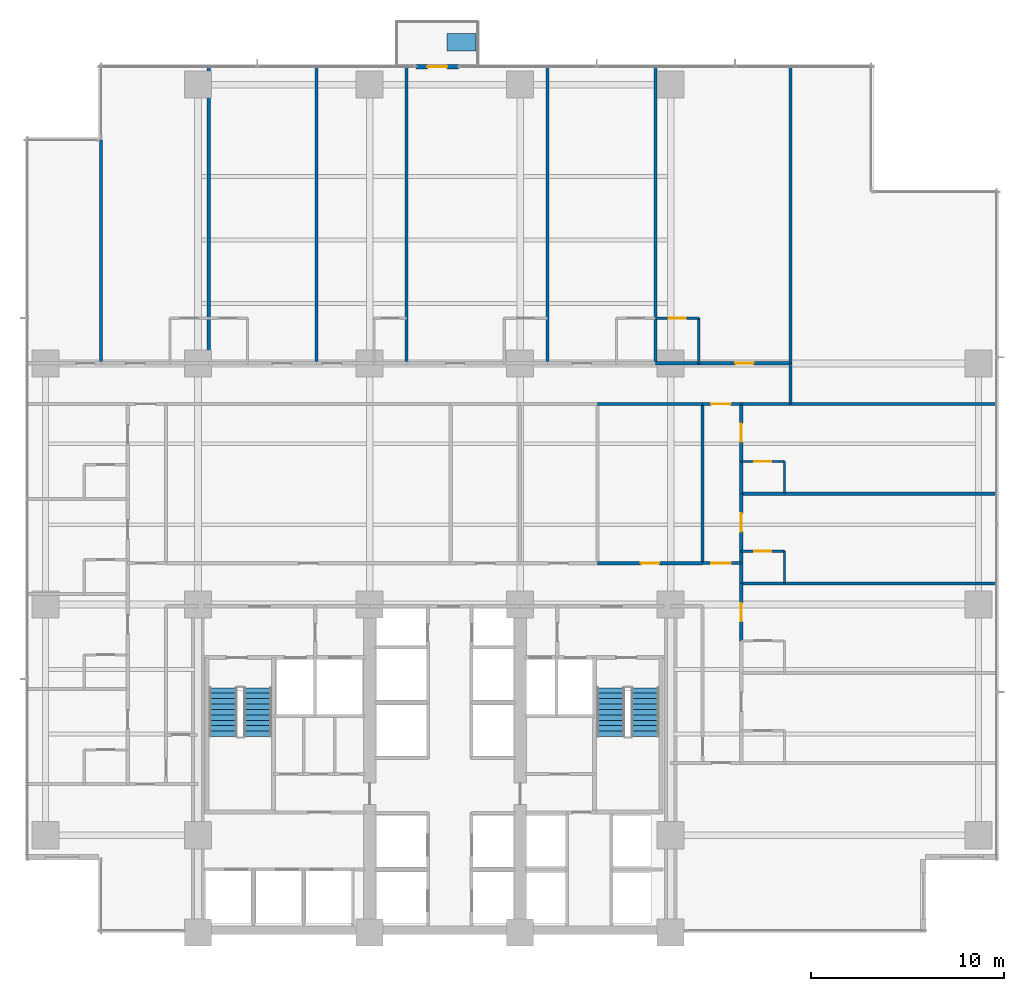
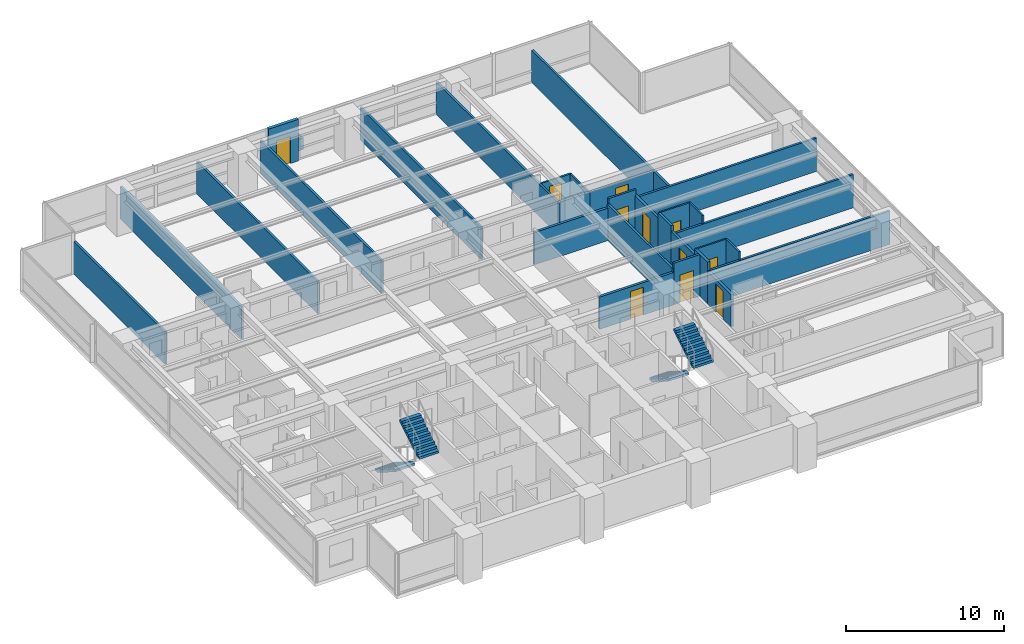
# One storey, part 11 of 17: 30 walls, 11 doors, 4 stair flights, 1 discrete accessory, 11 openings, 2 elements without a shape of their own.
"""IFC4 building model written with IfcOpenShell, lengths in metres."""

import ifcopenshell
import ifcopenshell.guid

model = None  # the IFC model being written
_history = None  # IfcOwnerHistory: only IFC2X3 demands one
_inside = {}  # id of a spatial element -> (the spatial element, [elements in it])
_under = {}  # id of a project, library or spatial element -> (it, [spatial elements below it])
_declared = {}  # id of a project -> (the project, [libraries it declares])
_typed = {}  # id of a type object -> (the type object, [elements of that type])
_made_of = {}  # id of a material, layer set ... -> (it, [elements and type objects made of it])


def new_model(schema):
    """Start an empty IFC model of exactly this schema.

    Asked for "IFC4X3", IfcOpenShell would pick the latest addendum, in which some entities
    have other attributes; the version numbers below select the first issue.
    IFC2X3 requires an IfcOwnerHistory on every rooted entity: one is made here for all.
    """
    global model, _history
    if schema == "IFC4X3":
        model = ifcopenshell.file(schema_version=(4, 3, 0, 0))
    else:
        model = ifcopenshell.file(schema=schema)
    _inside.clear()
    _under.clear()
    _declared.clear()
    _typed.clear()
    _made_of.clear()
    _history = None
    if model.schema == "IFC2X3":
        org = make("IfcOrganization", Name="unknown")
        user = make(
            "IfcPersonAndOrganization",
            ThePerson=make("IfcPerson", FamilyName="unknown"),
            TheOrganization=org,
        )
        app = make(
            "IfcApplication",
            ApplicationDeveloper=org,
            Version="unknown",
            ApplicationFullName="unknown",
            ApplicationIdentifier="unknown",
        )
        _history = make(
            "IfcOwnerHistory",
            OwningUser=user,
            OwningApplication=app,
            ChangeAction="ADDED",
            CreationDate=0,
        )
    return model


def make(cls, **values):
    """One entity of the class cls with the attributes given. An attribute that is None is left unset."""
    return model.create_entity(
        cls, **{name: value for name, value in values.items() if value is not None}
    )


def rooted(cls, **values):
    """An entity with a GlobalId (a new one), such as an element, a storey or a relation."""
    return make(cls, GlobalId=ifcopenshell.guid.new(), OwnerHistory=_history, **values)


def si_unit(unit_type, name, prefix=None):
    """IfcSIUnit, for example si_unit("LENGTHUNIT", "METRE", prefix="MILLI")."""
    return make("IfcSIUnit", UnitType=unit_type, Prefix=prefix, Name=name)


def assignment(units):
    """IfcUnitAssignment: the units of a project."""
    return None if units is None else make("IfcUnitAssignment", Units=units)


def point(xyz):
    """IfcCartesianPoint."""
    return None if xyz is None else make("IfcCartesianPoint", Coordinates=xyz)


def direction(xyz):
    """IfcDirection."""
    return None if xyz is None else make("IfcDirection", DirectionRatios=xyz)


def frame(location, z_axis=None, x_axis=None):
    """IfcAxis2Placement3D, a coordinate frame: its origin and axes. An axis left out is left unset."""
    return make(
        "IfcAxis2Placement3D",
        Location=point(location),
        Axis=direction(z_axis),
        RefDirection=direction(x_axis),
    )


def frame_2d(location, x_axis=None):
    """IfcAxis2Placement2D, a coordinate frame in the plane: its origin and x axis."""
    return make(
        "IfcAxis2Placement2D", Location=point(location), RefDirection=direction(x_axis)
    )


def origin():
    """The frame at (0, 0, 0) with its axes left unset."""
    return frame((0.0, 0.0, 0.0))


def place(relative_to, where):
    """IfcLocalPlacement: puts the frame where relative to a parent placement (None: the world)."""
    return make(
        "IfcLocalPlacement", PlacementRelTo=relative_to, RelativePlacement=where
    )


def context(
    kind, dimensions, precision=None, world=None, true_north=None, identifier=None
):
    """IfcGeometricRepresentationContext, for example the 3D "Model" context."""
    return make(
        "IfcGeometricRepresentationContext",
        ContextIdentifier=identifier,
        ContextType=kind,
        CoordinateSpaceDimension=dimensions,
        Precision=precision,
        WorldCoordinateSystem=world,
        TrueNorth=true_north,
    )


def subcontext(parent, identifier, kind, view, scale=None):
    """IfcGeometricRepresentationSubContext, for example "Body" below "Model"."""
    return make(
        "IfcGeometricRepresentationSubContext",
        ContextIdentifier=identifier,
        ContextType=kind,
        ParentContext=parent,
        TargetScale=scale,
        TargetView=view,
    )


def project(units=None, contexts=None):
    """IfcProject with its units and contexts."""
    return rooted(
        "IfcProject",
        Name="project",
        RepresentationContexts=contexts,
        UnitsInContext=assignment(units),
    )


def spatial(cls, under=None, at=None, **own):
    """A site, building, storey or space (cls), placed at a placement, below another one or the project."""
    s = rooted(cls, ObjectPlacement=at, **own)
    if under is not None:
        _under.setdefault(under.id(), (under, []))[1].append(s)
    return s


def polyline(points):
    """IfcPolyline through the points."""
    return make("IfcPolyline", Points=[point(p) for p in points])


def profile(cls, at=None, kind="AREA", **sizes):
    """A parametric profile (cls). Its sizes go by their IFC names, for example OverallWidth=200.0."""
    return make(cls, ProfileType=kind, Position=at, **sizes)


def rectangle(**sizes):
    """IfcRectangleProfileDef."""
    return profile("IfcRectangleProfileDef", **sizes)


def outline(outer, holes=None, kind="AREA"):
    """IfcArbitraryClosedProfileDef: a profile drawn as a closed curve; with holes, ...WithVoids."""
    if holes is None:
        return make("IfcArbitraryClosedProfileDef", ProfileType=kind, OuterCurve=outer)
    return make(
        "IfcArbitraryProfileDefWithVoids",
        ProfileType=kind,
        OuterCurve=outer,
        InnerCurves=holes,
    )


def extrude(swept, where, along, depth):
    """IfcExtrudedAreaSolid: the profile swept, set in the frame where, extruded along a direction by depth."""
    return make(
        "IfcExtrudedAreaSolid",
        SweptArea=swept,
        Position=where,
        ExtrudedDirection=direction(along),
        Depth=depth,
    )


def shape(context_of_items, identifier, shape_type, items):
    """IfcShapeRepresentation: the items that make up one representation, for example the "Body"."""
    return make(
        "IfcShapeRepresentation",
        ContextOfItems=context_of_items,
        RepresentationIdentifier=identifier,
        RepresentationType=shape_type,
        Items=items,
    )


def material(Name=None, Category=None):
    """IfcMaterial."""
    return make("IfcMaterial", Name=Name, Category=Category)


def layer(
    of_material, thickness, ventilated=None, Name=None, Category=None, Priority=None
):
    """IfcMaterialLayer: one layer of a wall or slab, of a material (None: an air gap)."""
    return make(
        "IfcMaterialLayer",
        Material=of_material,
        LayerThickness=thickness,
        IsVentilated=ventilated,
        Name=Name,
        Category=Category,
        Priority=Priority,
    )


def layer_set(layers, Name=None):
    """IfcMaterialLayerSet."""
    return make("IfcMaterialLayerSet", MaterialLayers=layers, LayerSetName=Name)


def made_of(thing, what):
    """Note that an element or type object is made of a material, layer set ...; save() writes the relation."""
    if what is not None:
        _made_of.setdefault(what.id(), (what, []))[1].append(thing)
    return thing


def type_object(cls, material=None, **own):
    """A type object (cls), such as IfcWallType, which elements share."""
    return made_of(rooted(cls, **own), material)


def element(
    cls,
    number,
    at=None,
    inside=None,
    cuts=None,
    type_object=None,
    material=None,
    context=None,
    identifier="Body",
    shape_type=None,
    held_by="IfcProductDefinitionShape",
    body=None,
    shapes=None,
    **own,
):
    """One element of the class cls, such as IfcWall. Its Tag is "e" and its number.

    at: its placement. inside: the storey or other place that contains it. cuts: it is an
    opening in that element (IfcRelVoidsElement). A single representation is given by context,
    identifier, shape_type and body (its items); several are given by shapes. held_by: the class
    of the entity that holds the representations. save() writes the other relations.
    """
    e = rooted(cls, Tag="e%d" % number, ObjectPlacement=at, **own)
    if body is not None:
        shapes = [shape(context, identifier, shape_type, body)]
    if shapes is not None:
        e.Representation = make(held_by, Representations=shapes)
    if inside is not None:
        _inside.setdefault(inside.id(), (inside, []))[1].append(e)
    if cuts is not None:
        rooted(
            "IfcRelVoidsElement", RelatingBuildingElement=cuts, RelatedOpeningElement=e
        )
    if type_object is not None:
        _typed.setdefault(type_object.id(), (type_object, []))[1].append(e)
    return made_of(e, material)


def fill(opening, filler):
    """IfcRelFillsElement: the door or window that sits in an opening."""
    return rooted(
        "IfcRelFillsElement",
        RelatingOpeningElement=opening,
        RelatedBuildingElement=filler,
    )


def aggregate(whole, parts):
    """IfcRelAggregates: a whole, such as a stair, and the parts it consists of."""
    return rooted("IfcRelAggregates", RelatingObject=whole, RelatedObjects=parts)


def save(model, path):
    """Write the relations noted so far, then the file.

    IfcRelAggregates (storeys below a building ...), IfcRelContainedInSpatialStructure (elements
    in a storey), IfcRelDefinesByType, IfcRelAssociatesMaterial and IfcRelDeclares: one each for
    every whole, place, type object, material and project.
    """
    for whole, parts in _under.values():
        aggregate(whole, parts)
    for where, things in _inside.values():
        rooted(
            "IfcRelContainedInSpatialStructure",
            RelatedElements=things,
            RelatingStructure=where,
        )
    for kind, things in _typed.values():
        rooted("IfcRelDefinesByType", RelatedObjects=things, RelatingType=kind)
    for what, things in _made_of.values():
        rooted("IfcRelAssociatesMaterial", RelatedObjects=things, RelatingMaterial=what)
    for by, libraries in _declared.values():
        rooted("IfcRelDeclares", RelatingContext=by, RelatedDefinitions=libraries)
    model.write(path)


model = new_model("IFC4")

# Units and contexts
model_context = context("Model", 3, precision=1e-05, world=origin(), true_north=direction((0.0, 1.0)))
body_context = subcontext(model_context, "Body", "Model", "MODEL_VIEW")
ifc_project = project(units=[si_unit("LENGTHUNIT", "METRE"), si_unit("AREAUNIT", "SQUARE_METRE"), si_unit("VOLUMEUNIT", "CUBIC_METRE"), si_unit("PLANEANGLEUNIT", "RADIAN"), si_unit("MASSUNIT", "GRAM", prefix="KILO")], contexts=[model_context])

# Site, building, storey
site_placement = place(None, origin())
site = spatial("IfcSite", under=ifc_project, at=site_placement, CompositionType="ELEMENT")
building_placement = place(site_placement, origin())
building = spatial("IfcBuilding", under=site, at=building_placement, Name="Qalmaran Belvedere Hotel", CompositionType="ELEMENT")
storey_placement = place(building_placement, frame((0.0, 0.0, 61.39990234375)))
storey = spatial("IfcBuildingStorey", under=building, at=storey_placement, Name="L15", CompositionType="ELEMENT", Elevation=61.39990234375)

# Wall, opening, door
ifc_material_1 = material(Name="Anodised Bronze Cladding")
ifc_layer_1 = layer(ifc_material_1, 0.22509765625, Name="Anodised Bronze Cladding")
ifc_layer_set_1 = layer_set([ifc_layer_1], Name="Anodised Bronze Cladding")
wall_type_1 = type_object("IfcWallType", Name="WL-BAL-PORT-225", PredefinedType="SOLIDWALL", material=ifc_layer_set_1)
wall_1_placement = place(storey_placement, frame((31.60009765625, 48.3798828125, 0.0), z_axis=(0.0, 0.0, 1.0), x_axis=(1.0, 0.0, 0.0)))
wall_1 = element("IfcWall", 1, at=wall_1_placement, inside=storey, type_object=wall_type_1, Name="L15 Tree Balcony Door Portal", PredefinedType="SOLIDWALL", context=body_context, shape_type="SweptSolid", body=[
    extrude(rectangle(XDim=2.199951171875, YDim=0.22509765625, at=frame_2d((1.10009765625, 0.0))), origin(), (0.0, 0.0, 1.0), 3.22021484375),
])
opening_1_placement = place(wall_1_placement, frame((0.590087890625, 0.0, 0.0)))
opening_1 = element("IfcOpeningElement", 2, at=opening_1_placement, cuts=wall_1, Name="Opening BL-102", PredefinedType="OPENING", context=body_context, shape_type="SweptSolid", body=[
    extrude(rectangle(XDim=1.02001953125, YDim=2.10009765625, at=frame_2d((0.510009765625, 1.050048828125))), frame((0.0, 0.12255859375, 0.0), z_axis=(0.0, -1.0, 0.0), x_axis=(1.0, 0.0, 0.0)), (0.0, 0.0, 1.0), 0.2451171875),
])
ifc_material_2 = material(Name="Anodised Bronze Aluminium", Category="aluminium")
door_type_1 = type_object("IfcDoorType", Name="DR-BAL-1020X2100", OperationType="NOTDEFINED", PredefinedType="DOOR", material=ifc_material_2)
door_1_placement = place(opening_1_placement, origin())
door_1 = element("IfcDoor", 3, at=door_1_placement, inside=storey, type_object=door_type_1, Name="L15 Planted Tree Balcony Door", OperationType="SINGLE_SWING_RIGHT", OverallHeight=2.10009765625, OverallWidth=1.02001953125, PredefinedType="DOOR", context=body_context, shape_type="SweptSolid", body=[
    extrude(rectangle(XDim=1.02001953125, YDim=2.10009765625, at=frame_2d((0.510009765625, 1.050048828125))), frame((0.0, 0.02490234375, 0.0), z_axis=(0.0, -1.0, 0.0), x_axis=(1.0, 0.0, 0.0)), (0.0, 0.0, 1.0), 0.050048828125),
])
fill(opening_1, door_1)

ifc_material_3 = material(Name="Moisture-Resistant Gypsum")
ifc_layer_2 = layer(ifc_material_3, 0.1201171875, Name="Moisture-Resistant Gypsum")
ifc_layer_set_2 = layer_set([ifc_layer_2], Name="Moisture-Resistant Gypsum")
wall_type_2 = type_object("IfcWallType", Name="WL-INT-120-BATH", PredefinedType="PARTITIONING", material=ifc_layer_set_2)
wall_2_placement = place(storey_placement, frame((44.005126953125, 35.35009765625, 0.0), z_axis=(0.0, 0.0, 1.0), x_axis=(1.0, 0.0, 0.0)))
wall_2 = element("IfcWall", 4, at=wall_2_placement, inside=storey, type_object=wall_type_2, Name="L15 Partition WL-L15-NBN05", PredefinedType="PARTITIONING", context=body_context, shape_type="SweptSolid", body=[
    extrude(rectangle(XDim=2.25, YDim=0.1201171875, at=frame_2d((1.125, 0.0))), origin(), (0.0, 0.0, 1.0), 2.510009765625),
])
opening_2_placement = place(wall_2_placement, frame((1.56494140625, 0.0, 0.0), z_axis=(0.0, 0.0, 1.0), x_axis=(-1.0, 0.0, 0.0)))
opening_2 = element("IfcOpeningElement", 5, at=opening_2_placement, cuts=wall_2, Name="Opening D-BATH", PredefinedType="OPENING", context=body_context, shape_type="SweptSolid", body=[
    extrude(rectangle(XDim=0.8798828125, YDim=2.080078125, at=frame_2d((0.43994140625, 1.0400390625))), frame((0.0, 0.070068359375, 0.0), z_axis=(0.0, -1.0, 0.0), x_axis=(1.0, 0.0, 0.0)), (0.0, 0.0, 1.0), 0.14013671875),
])
ifc_material_4 = material(Name="Engineered Oak Veneer")
door_type_2 = type_object("IfcDoorType", Name="DR-INT-BATH-880X2080", OperationType="NOTDEFINED", PredefinedType="DOOR", material=ifc_material_4)
door_2_placement = place(opening_2_placement, origin())
door_2 = element("IfcDoor", 6, at=door_2_placement, inside=storey, type_object=door_type_2, Name="L15 Ensuite Bathroom Door N06", OperationType="SINGLE_SWING_RIGHT", OverallHeight=2.080078125, OverallWidth=0.8798828125, PredefinedType="DOOR", context=body_context, shape_type="SweptSolid", body=[
    extrude(rectangle(XDim=0.8798828125, YDim=2.080078125, at=frame_2d((0.43994140625, 1.0400390625))), frame((0.0, 0.02490234375, 0.0), z_axis=(0.0, -1.0, 0.0), x_axis=(1.0, 0.0, 0.0)), (0.0, 0.0, 1.0), 0.050048828125),
])
fill(opening_2, door_2)

# Wall
wall_3_placement = place(storey_placement, frame((46.255126953125, 33.0, 0.0), z_axis=(0.0, 0.0, 1.0), x_axis=(0.0, 1.0, 0.0)))
element("IfcWall", 7, at=wall_3_placement, inside=storey, type_object=wall_type_2, Name="L15 Partition WL-L15-NBS05", PredefinedType="PARTITIONING", context=body_context, shape_type="SweptSolid", body=[
    extrude(rectangle(XDim=2.35009765625, YDim=0.1201171875, at=frame_2d((1.175048828125, 0.0))), origin(), (0.0, 0.0, 1.0), 2.510009765625),
])

# Wall, opening, door
wall_4_placement = place(storey_placement, frame((48.449951171875, 23.27001953125, 0.0), z_axis=(0.0, 0.0, 1.0), x_axis=(1.0, 0.0, 0.0)))
wall_4 = element("IfcWall", 8, at=wall_4_placement, inside=storey, type_object=wall_type_2, Name="L15 Partition WL-L15-EBN02", PredefinedType="PARTITIONING", context=body_context, shape_type="SweptSolid", body=[
    extrude(rectangle(XDim=2.25, YDim=0.1201171875, at=frame_2d((1.125, 0.0))), origin(), (0.0, 0.0, 1.0), 3.22021484375),
])
opening_3_placement = place(wall_4_placement, frame((1.56494140625, 0.0, 0.0), z_axis=(0.0, 0.0, 1.0), x_axis=(-1.0, 0.0, 0.0)))
opening_3 = element("IfcOpeningElement", 9, at=opening_3_placement, cuts=wall_4, Name="Opening D-BATH", PredefinedType="OPENING", context=body_context, shape_type="SweptSolid", body=[
    extrude(rectangle(XDim=0.8798828125, YDim=2.080078125, at=frame_2d((0.43994140625, 1.0400390625))), frame((0.0, 0.070068359375, 0.0), z_axis=(0.0, -1.0, 0.0), x_axis=(1.0, 0.0, 0.0)), (0.0, 0.0, 1.0), 0.14013671875),
])
door_3_placement = place(opening_3_placement, origin())
door_3 = element("IfcDoor", 10, at=door_3_placement, inside=storey, type_object=door_type_2, Name="L15 E Ensuite Door 03", OperationType="SINGLE_SWING_RIGHT", OverallHeight=2.080078125, OverallWidth=0.8798828125, PredefinedType="DOOR", context=body_context, shape_type="SweptSolid", body=[
    extrude(rectangle(XDim=0.8798828125, YDim=2.080078125, at=frame_2d((0.43994140625, 1.0400390625))), frame((0.0, 0.02490234375, 0.0), z_axis=(0.0, -1.0, 0.0), x_axis=(1.0, 0.0, 0.0)), (0.0, 0.0, 1.0), 0.050048828125),
])
fill(opening_3, door_3)

# Wall
wall_5_placement = place(storey_placement, frame((50.699951171875, 21.60009765625, 0.0), z_axis=(0.0, 0.0, 1.0), x_axis=(0.0, 1.0, 0.0)))
element("IfcWall", 11, at=wall_5_placement, inside=storey, type_object=wall_type_2, Name="L15 Partition WL-L15-EBS02", PredefinedType="PARTITIONING", context=body_context, shape_type="SweptSolid", body=[
    extrude(rectangle(XDim=1.669921875, YDim=0.1201171875, at=frame_2d((0.8349609375, 0.0))), origin(), (0.0, 0.0, 1.0), 3.22021484375),
])

# Wall, opening, door
wall_6_placement = place(storey_placement, frame((48.449951171875, 27.919921875, 0.0), z_axis=(0.0, 0.0, 1.0), x_axis=(1.0, 0.0, 0.0)))
wall_6 = element("IfcWall", 12, at=wall_6_placement, inside=storey, type_object=wall_type_2, Name="L15 Partition WL-L15-EBN03", PredefinedType="PARTITIONING", context=body_context, shape_type="SweptSolid", body=[
    extrude(rectangle(XDim=2.25, YDim=0.1201171875, at=frame_2d((1.125, 0.0))), origin(), (0.0, 0.0, 1.0), 3.22021484375),
])
opening_4_placement = place(wall_6_placement, frame((1.56494140625, 0.0, 0.0), z_axis=(0.0, 0.0, 1.0), x_axis=(-1.0, 0.0, 0.0)))
opening_4 = element("IfcOpeningElement", 13, at=opening_4_placement, cuts=wall_6, Name="Opening D-BATH", PredefinedType="OPENING", context=body_context, shape_type="SweptSolid", body=[
    extrude(rectangle(XDim=0.8798828125, YDim=2.080078125, at=frame_2d((0.43994140625, 1.0400390625))), frame((0.0, 0.070068359375, 0.0), z_axis=(0.0, -1.0, 0.0), x_axis=(1.0, 0.0, 0.0)), (0.0, 0.0, 1.0), 0.14013671875),
])
door_4_placement = place(opening_4_placement, origin())
door_4 = element("IfcDoor", 14, at=door_4_placement, inside=storey, type_object=door_type_2, Name="L15 E Ensuite Door 04", OperationType="SINGLE_SWING_RIGHT", OverallHeight=2.080078125, OverallWidth=0.8798828125, PredefinedType="DOOR", context=body_context, shape_type="SweptSolid", body=[
    extrude(rectangle(XDim=0.8798828125, YDim=2.080078125, at=frame_2d((0.43994140625, 1.0400390625))), frame((0.0, 0.02490234375, 0.0), z_axis=(0.0, -1.0, 0.0), x_axis=(1.0, 0.0, 0.0)), (0.0, 0.0, 1.0), 0.050048828125),
])
fill(opening_4, door_4)

# Wall
wall_7_placement = place(storey_placement, frame((50.699951171875, 26.25, 0.0), z_axis=(0.0, 0.0, 1.0), x_axis=(0.0, 1.0, 0.0)))
element("IfcWall", 15, at=wall_7_placement, inside=storey, type_object=wall_type_2, Name="L15 Partition WL-L15-EBS03", PredefinedType="PARTITIONING", context=body_context, shape_type="SweptSolid", body=[
    extrude(rectangle(XDim=1.669921875, YDim=0.1201171875, at=frame_2d((0.8349609375, 0.0))), origin(), (0.0, 0.0, 1.0), 3.22021484375),
])

# Wall, opening, door
ifc_material_5 = material(Name="Gypsum Stud Partition")
ifc_layer_3 = layer(ifc_material_5, 0.14990234375, Name="Gypsum Stud Partition")
ifc_layer_set_3 = layer_set([ifc_layer_3], Name="Gypsum Stud Partition")
wall_type_3 = type_object("IfcWallType", Name="WL-INT-150-EI60", PredefinedType="PARTITIONING", material=ifc_layer_set_3)
wall_8_placement = place(storey_placement, frame((46.449951171875, 22.64990234375, 0.0), z_axis=(0.0, 0.0, 1.0), x_axis=(1.0, 0.0, 0.0)))
wall_8 = element("IfcWall", 16, at=wall_8_placement, inside=storey, type_object=wall_type_3, Name="L15 Partition WL-L15-XCE1", PredefinedType="PARTITIONING", context=body_context, shape_type="SweptSolid", body=[
    extrude(rectangle(XDim=2.0, YDim=0.14990234375, at=frame_2d((1.0, 0.0))), origin(), (0.0, 0.0, 1.0), 3.22021484375),
])
opening_5_placement = place(wall_8_placement, frame((0.449951171875, 0.0, 0.0)))
opening_5 = element("IfcOpeningElement", 17, at=opening_5_placement, cuts=wall_8, Name="Opening FD90B", PredefinedType="OPENING", context=body_context, shape_type="SweptSolid", body=[
    extrude(rectangle(XDim=1.0, YDim=2.14990234375, at=frame_2d((0.5, 1.074951171875))), frame((0.0, 0.0849609375, 0.0), z_axis=(0.0, -1.0, 0.0), x_axis=(1.0, 0.0, 0.0)), (0.0, 0.0, 1.0), 0.169921875),
])
ifc_material_6 = material(Name="Steel S355JR", Category="steel")
door_type_3 = type_object("IfcDoorType", Name="DR-FD90B-1000X2150", OperationType="NOTDEFINED", PredefinedType="DOOR", material=ifc_material_6)
door_5_placement = place(opening_5_placement, origin())
door_5 = element("IfcDoor", 18, at=door_5_placement, inside=storey, type_object=door_type_3, Name="L15 East Corridor Smoke Door S", OperationType="SINGLE_SWING_RIGHT", OverallHeight=2.14990234375, OverallWidth=1.0, PredefinedType="DOOR", context=body_context, shape_type="SweptSolid", body=[
    extrude(rectangle(XDim=1.0, YDim=2.14990234375, at=frame_2d((0.5, 1.074951171875))), frame((0.0, 0.02490234375, 0.0), z_axis=(0.0, -1.0, 0.0), x_axis=(1.0, 0.0, 0.0)), (0.0, 0.0, 1.0), 0.050048828125),
])
fill(opening_5, door_5)

wall_9_placement = place(storey_placement, frame((46.449951171875, 30.89990234375, 0.0), z_axis=(0.0, 0.0, 1.0), x_axis=(1.0, 0.0, 0.0)))
wall_9 = element("IfcWall", 19, at=wall_9_placement, inside=storey, type_object=wall_type_3, Name="L15 Partition WL-L15-XCE2", PredefinedType="PARTITIONING", context=body_context, shape_type="SweptSolid", body=[
    extrude(rectangle(XDim=2.0, YDim=0.14990234375, at=frame_2d((1.0, 0.0))), origin(), (0.0, 0.0, 1.0), 3.22021484375),
])
opening_6_placement = place(wall_9_placement, frame((0.449951171875, 0.0, 0.0)))
opening_6 = element("IfcOpeningElement", 20, at=opening_6_placement, cuts=wall_9, Name="Opening FD90B", PredefinedType="OPENING", context=body_context, shape_type="SweptSolid", body=[
    extrude(rectangle(XDim=1.0, YDim=2.14990234375, at=frame_2d((0.5, 1.074951171875))), frame((0.0, 0.0849609375, 0.0), z_axis=(0.0, -1.0, 0.0), x_axis=(1.0, 0.0, 0.0)), (0.0, 0.0, 1.0), 0.169921875),
])
door_6_placement = place(opening_6_placement, origin())
door_6 = element("IfcDoor", 21, at=door_6_placement, inside=storey, type_object=door_type_3, Name="L15 East Corridor Smoke Door N", OperationType="SINGLE_SWING_LEFT", OverallHeight=2.14990234375, OverallWidth=1.0, PredefinedType="DOOR", context=body_context, shape_type="SweptSolid", body=[
    extrude(rectangle(XDim=1.0, YDim=2.14990234375, at=frame_2d((0.5, 1.074951171875))), frame((0.0, 0.02490234375, 0.0), z_axis=(0.0, -1.0, 0.0), x_axis=(1.0, 0.0, 0.0)), (0.0, 0.0, 1.0), 0.050048828125),
])
fill(opening_6, door_6)

# Walls
ifc_layer_4 = layer(ifc_material_5, 0.159912109375, Name="Gypsum Stud Partition")
ifc_layer_set_4 = layer_set([ifc_layer_4], Name="Gypsum Stud Partition")
wall_type_4 = type_object("IfcWallType", Name="WL-INT-160-EI60", PredefinedType="PARTITIONING", material=ifc_layer_set_4)
wall_10_placement = place(storey_placement, frame((51.0, 30.89990234375, 0.0), z_axis=(0.0, 0.0, 1.0), x_axis=(0.0, 1.0, 0.0)))
element("IfcWall", 22, at=wall_10_placement, inside=storey, type_object=wall_type_4, Name="L15 Partition WL-L15-NCGE", PredefinedType="PARTITIONING", context=body_context, shape_type="SweptSolid", body=[
    extrude(rectangle(XDim=2.10009765625, YDim=0.159912109375, at=frame_2d((1.050048828125, 0.0))), origin(), (0.0, 0.0, 1.0), 2.510009765625),
])
wall_11_placement = place(storey_placement, frame((46.449951171875, 22.64990234375, 0.0), z_axis=(0.0, 0.0, 1.0), x_axis=(0.0, 1.0, 0.0)))
element("IfcWall", 23, at=wall_11_placement, inside=storey, type_object=wall_type_4, Name="L15 Partition WL-L15-MIDVR4", PredefinedType="PARTITIONING", context=body_context, shape_type="SweptSolid", body=[
    extrude(rectangle(XDim=8.25, YDim=0.159912109375, at=frame_2d((4.125, 0.0))), origin(), (0.0, 0.0, 1.0), 2.7880859375),
])
wall_12_placement = place(storey_placement, frame((15.27001953125, 33.0, 0.0), z_axis=(0.0, 0.0, 1.0), x_axis=(0.0, 1.0, 0.0)))
element("IfcWall", 24, at=wall_12_placement, inside=storey, type_object=wall_type_4, Name="L15 Partition WL-L15-NUL", PredefinedType="PARTITIONING", context=body_context, shape_type="SweptSolid", body=[
    extrude(rectangle(XDim=11.580078125, YDim=0.159912109375, at=frame_2d((5.7900390625, 0.0))), origin(), (0.0, 0.0, 1.0), 2.510009765625),
])
for number, where, z_axis, x_axis, name in (
    (25, (20.857421875, 33.0, 0.0), (0.0, 0.0, 1.0), (0.0, 1.0, 0.0), "L15 Partition WL-L15-NUR00"),
    (26, (26.44482421875, 33.0, 0.0), (0.0, 0.0, 1.0), (0.0, 1.0, 0.0), "L15 Partition WL-L15-NUR01"),
    (27, (31.10009765625, 33.0, 0.0), (0.0, 0.0, 1.0), (0.0, 1.0, 0.0), "L15 Partition WL-L15-NUR02"),
    (28, (38.417724609375, 33.0, 0.0), (0.0, 0.0, 1.0), (0.0, 1.0, 0.0), "L15 Partition WL-L15-NUR03"),
    (29, (44.005126953125, 33.0, 0.0), (0.0, 0.0, 1.0), (0.0, 1.0, 0.0), "L15 Partition WL-L15-NUR04"),
    (30, (51.0, 33.0, 0.0), (0.0, 0.0, 1.0), (0.0, 1.0, 0.0), "L15 Partition WL-L15-NUR05"),
):
    element("IfcWall", number, at=place(storey_placement, frame(where, z_axis=z_axis, x_axis=x_axis)), inside=storey, type_object=wall_type_4, Name=name, PredefinedType="PARTITIONING", context=body_context, shape_type="SweptSolid", body=[
        extrude(rectangle(XDim=15.3798828125, YDim=0.159912109375, at=frame_2d((7.68994140625, 0.0))), origin(), (0.0, 0.0, 1.0), 2.510009765625),
    ])
for number, where, z_axis, x_axis, name in (
    (31, (48.449951171875, 21.60009765625, 0.0), (0.0, 0.0, 1.0), (1.0, 0.0, 0.0), "L15 Partition WL-L15-EU01"),
    (32, (48.449951171875, 26.25, 0.0), (0.0, 0.0, 1.0), (1.0, 0.0, 0.0), "L15 Partition WL-L15-EU02"),
    (33, (48.449951171875, 30.89990234375, 0.0), (0.0, 0.0, 1.0), (1.0, 0.0, 0.0), "L15 Partition WL-L15-EU03"),
):
    element("IfcWall", number, at=place(storey_placement, frame(where, z_axis=z_axis, x_axis=x_axis)), inside=storey, type_object=wall_type_4, Name=name, PredefinedType="PARTITIONING", context=body_context, shape_type="SweptSolid", body=[
        extrude(rectangle(XDim=13.22998046875, YDim=0.159912109375, at=frame_2d((6.614990234375, 0.0))), origin(), (0.0, 0.0, 1.0), 2.5830078125),
    ])

# Wall, opening, door
ifc_layer_5 = layer(ifc_material_5, 0.179931640625, Name="Gypsum Stud Partition")
ifc_layer_set_5 = layer_set([ifc_layer_5], Name="Gypsum Stud Partition")
wall_type_5 = type_object("IfcWallType", Name="WL-INT-180-EI60", PredefinedType="PARTITIONING", material=ifc_layer_set_5)
wall_13_placement = place(storey_placement, frame((41.0, 22.64990234375, 0.0), z_axis=(0.0, 0.0, 1.0), x_axis=(1.0, 0.0, 0.0)))
wall_13 = element("IfcWall", 34, at=wall_13_placement, inside=storey, type_object=wall_type_5, Name="L15 Partition WL-L15-MIDD4", PredefinedType="PARTITIONING", context=body_context, shape_type="SweptSolid", body=[
    extrude(rectangle(XDim=5.449951171875, YDim=0.179931640625, at=frame_2d((2.72509765625, 0.0))), origin(), (0.0, 0.0, 1.0), 2.510009765625),
])
opening_7_placement = place(wall_13_placement, frame((2.25, 0.0, 0.0)))
opening_7 = element("IfcOpeningElement", 35, at=opening_7_placement, cuts=wall_13, Name="Opening FD60", PredefinedType="OPENING", context=body_context, shape_type="SweptSolid", body=[
    extrude(rectangle(XDim=0.949951171875, YDim=2.14990234375, at=frame_2d((0.47509765625, 1.074951171875))), frame((0.0, 0.10009765625, 0.0), z_axis=(0.0, -1.0, 0.0), x_axis=(1.0, 0.0, 0.0)), (0.0, 0.0, 1.0), 0.199951171875),
])
door_type_4 = type_object("IfcDoorType", Name="DR-FD60-950X2150", OperationType="NOTDEFINED", PredefinedType="DOOR", material=ifc_material_4)
door_7_placement = place(opening_7_placement, origin())
door_7 = element("IfcDoor", 36, at=door_7_placement, inside=storey, type_object=door_type_4, Name="L15 Beverage Pantry Door", OperationType="SINGLE_SWING_LEFT", OverallHeight=2.14990234375, OverallWidth=0.949951171875, PredefinedType="DOOR", context=body_context, shape_type="SweptSolid", body=[
    extrude(rectangle(XDim=0.949951171875, YDim=2.14990234375, at=frame_2d((0.47509765625, 1.074951171875))), frame((0.0, 0.02490234375, 0.0), z_axis=(0.0, -1.0, 0.0), x_axis=(1.0, 0.0, 0.0)), (0.0, 0.0, 1.0), 0.050048828125),
])
fill(opening_7, door_7)

# Walls
wall_14_placement = place(storey_placement, frame((41.0, 30.89990234375, 0.0), z_axis=(0.0, 0.0, 1.0), x_axis=(1.0, 0.0, 0.0)))
element("IfcWall", 37, at=wall_14_placement, inside=storey, type_object=wall_type_5, Name="L15 Partition WL-L15-MIDO4", PredefinedType="PARTITIONING", context=body_context, shape_type="SweptSolid", body=[
    extrude(rectangle(XDim=5.449951171875, YDim=0.179931640625, at=frame_2d((2.72509765625, 0.0))), origin(), (0.0, 0.0, 1.0), 2.510009765625),
])
wall_15_placement = place(storey_placement, frame((44.005126953125, 33.0, 0.0), z_axis=(0.0, 0.0, 1.0), x_axis=(1.0, 0.0, 0.0)))
element("IfcWall", 38, at=wall_15_placement, inside=storey, type_object=wall_type_5, Name="L15 Partition WL-L15-NBC05", PredefinedType="PARTITIONING", context=body_context, shape_type="SweptSolid", body=[
    extrude(rectangle(XDim=2.25, YDim=0.179931640625, at=frame_2d((1.125, 0.0))), origin(), (0.0, 0.0, 1.0), 2.510009765625),
])

# Wall, opening, door
wall_16_placement = place(storey_placement, frame((46.255126953125, 33.0, 0.0), z_axis=(0.0, 0.0, 1.0), x_axis=(1.0, 0.0, 0.0)))
wall_16 = element("IfcWall", 39, at=wall_16_placement, inside=storey, type_object=wall_type_5, Name="L15 Partition WL-L15-NEC05", PredefinedType="PARTITIONING", context=body_context, shape_type="SweptSolid", body=[
    extrude(rectangle(XDim=4.744873046875, YDim=0.179931640625, at=frame_2d((2.37255859375, 0.0))), origin(), (0.0, 0.0, 1.0), 2.510009765625),
])
opening_8_placement = place(wall_16_placement, frame((1.8974609375, 0.0, 0.0)))
opening_8 = element("IfcOpeningElement", 40, at=opening_8_placement, cuts=wall_16, Name="Opening FD60", PredefinedType="OPENING", context=body_context, shape_type="SweptSolid", body=[
    extrude(rectangle(XDim=0.949951171875, YDim=2.14990234375, at=frame_2d((0.47509765625, 1.074951171875))), frame((0.0, 0.10009765625, 0.0), z_axis=(0.0, -1.0, 0.0), x_axis=(1.0, 0.0, 0.0)), (0.0, 0.0, 1.0), 0.199951171875),
])
door_8_placement = place(opening_8_placement, origin())
door_8 = element("IfcDoor", 41, at=door_8_placement, inside=storey, type_object=door_type_4, Name="L15 Guest Entrance Door N06", OperationType="SINGLE_SWING_LEFT", OverallHeight=2.14990234375, OverallWidth=0.949951171875, PredefinedType="DOOR", context=body_context, shape_type="SweptSolid", body=[
    extrude(rectangle(XDim=0.949951171875, YDim=2.14990234375, at=frame_2d((0.47509765625, 1.074951171875))), frame((0.0, 0.02490234375, 0.0), z_axis=(0.0, -1.0, 0.0), x_axis=(1.0, 0.0, 0.0)), (0.0, 0.0, 1.0), 0.050048828125),
])
fill(opening_8, door_8)

wall_17_placement = place(storey_placement, frame((48.449951171875, 18.6201171875, 0.0), z_axis=(0.0, 0.0, 1.0), x_axis=(0.0, 1.0, 0.0)))
wall_17 = element("IfcWall", 42, at=wall_17_placement, inside=storey, type_object=wall_type_5, Name="L15 Partition WL-L15-EEC01", PredefinedType="PARTITIONING", context=body_context, shape_type="SweptSolid", body=[
    extrude(rectangle(XDim=2.97998046875, YDim=0.179931640625, at=frame_2d((1.489990234375, 0.0))), origin(), (0.0, 0.0, 1.0), 2.510009765625),
])
opening_9_placement = place(wall_17_placement, frame((1.96484375, 0.0, 0.0), z_axis=(0.0, 0.0, 1.0), x_axis=(-1.0, 0.0, 0.0)))
opening_9 = element("IfcOpeningElement", 43, at=opening_9_placement, cuts=wall_17, Name="Opening FD60", PredefinedType="OPENING", context=body_context, shape_type="SweptSolid", body=[
    extrude(rectangle(XDim=0.949951171875, YDim=2.14990234375, at=frame_2d((0.47509765625, 1.074951171875))), frame((0.0, 0.10009765625, 0.0), z_axis=(0.0, -1.0, 0.0), x_axis=(1.0, 0.0, 0.0)), (0.0, 0.0, 1.0), 0.199951171875),
])
door_9_placement = place(opening_9_placement, origin())
door_9 = element("IfcDoor", 44, at=door_9_placement, inside=storey, type_object=door_type_4, Name="L15 E Wing Door 02", OperationType="SINGLE_SWING_LEFT", OverallHeight=2.14990234375, OverallWidth=0.949951171875, PredefinedType="DOOR", context=body_context, shape_type="SweptSolid", body=[
    extrude(rectangle(XDim=0.949951171875, YDim=2.14990234375, at=frame_2d((0.47509765625, 1.074951171875))), frame((0.0, 0.02490234375, 0.0), z_axis=(0.0, -1.0, 0.0), x_axis=(1.0, 0.0, 0.0)), (0.0, 0.0, 1.0), 0.050048828125),
])
fill(opening_9, door_9)

# Wall
wall_18_placement = place(storey_placement, frame((48.449951171875, 21.60009765625, 0.0), z_axis=(0.0, 0.0, 1.0), x_axis=(0.0, 1.0, 0.0)))
element("IfcWall", 45, at=wall_18_placement, inside=storey, type_object=wall_type_5, Name="L15 Partition WL-L15-EBC02", PredefinedType="PARTITIONING", context=body_context, shape_type="SweptSolid", body=[
    extrude(rectangle(XDim=1.669921875, YDim=0.179931640625, at=frame_2d((0.8349609375, 0.0))), origin(), (0.0, 0.0, 1.0), 3.22021484375),
])

# Wall, opening, door
wall_19_placement = place(storey_placement, frame((48.449951171875, 23.27001953125, 0.0), z_axis=(0.0, 0.0, 1.0), x_axis=(0.0, 1.0, 0.0)))
wall_19 = element("IfcWall", 46, at=wall_19_placement, inside=storey, type_object=wall_type_5, Name="L15 Partition WL-L15-EEC02", PredefinedType="PARTITIONING", context=body_context, shape_type="SweptSolid", body=[
    extrude(rectangle(XDim=2.97998046875, YDim=0.179931640625, at=frame_2d((1.489990234375, 0.0))), origin(), (0.0, 0.0, 1.0), 2.7880859375),
])
opening_10_placement = place(wall_19_placement, frame((1.96484375, 0.0, 0.0), z_axis=(0.0, 0.0, 1.0), x_axis=(-1.0, 0.0, 0.0)))
opening_10 = element("IfcOpeningElement", 47, at=opening_10_placement, cuts=wall_19, Name="Opening FD60", PredefinedType="OPENING", context=body_context, shape_type="SweptSolid", body=[
    extrude(rectangle(XDim=0.949951171875, YDim=2.14990234375, at=frame_2d((0.47509765625, 1.074951171875))), frame((0.0, 0.10009765625, 0.0), z_axis=(0.0, -1.0, 0.0), x_axis=(1.0, 0.0, 0.0)), (0.0, 0.0, 1.0), 0.199951171875),
])
door_10_placement = place(opening_10_placement, origin())
door_10 = element("IfcDoor", 48, at=door_10_placement, inside=storey, type_object=door_type_4, Name="L15 E Wing Door 03", OperationType="SINGLE_SWING_LEFT", OverallHeight=2.14990234375, OverallWidth=0.949951171875, PredefinedType="DOOR", context=body_context, shape_type="SweptSolid", body=[
    extrude(rectangle(XDim=0.949951171875, YDim=2.14990234375, at=frame_2d((0.47509765625, 1.074951171875))), frame((0.0, 0.02490234375, 0.0), z_axis=(0.0, -1.0, 0.0), x_axis=(1.0, 0.0, 0.0)), (0.0, 0.0, 1.0), 0.050048828125),
])
fill(opening_10, door_10)

# Wall
wall_20_placement = place(storey_placement, frame((48.449951171875, 26.25, 0.0), z_axis=(0.0, 0.0, 1.0), x_axis=(0.0, 1.0, 0.0)))
element("IfcWall", 49, at=wall_20_placement, inside=storey, type_object=wall_type_5, Name="L15 Partition WL-L15-EBC03", PredefinedType="PARTITIONING", context=body_context, shape_type="SweptSolid", body=[
    extrude(rectangle(XDim=1.669921875, YDim=0.179931640625, at=frame_2d((0.8349609375, 0.0))), origin(), (0.0, 0.0, 1.0), 3.22021484375),
])

# Wall, opening, door
wall_21_placement = place(storey_placement, frame((48.449951171875, 27.919921875, 0.0), z_axis=(0.0, 0.0, 1.0), x_axis=(0.0, 1.0, 0.0)))
wall_21 = element("IfcWall", 50, at=wall_21_placement, inside=storey, type_object=wall_type_5, Name="L15 Partition WL-L15-EEC03", PredefinedType="PARTITIONING", context=body_context, shape_type="SweptSolid", body=[
    extrude(rectangle(XDim=2.97998046875, YDim=0.179931640625, at=frame_2d((1.489990234375, 0.0))), origin(), (0.0, 0.0, 1.0), 2.7880859375),
])
opening_11_placement = place(wall_21_placement, frame((1.96484375, 0.0, 0.0), z_axis=(0.0, 0.0, 1.0), x_axis=(-1.0, 0.0, 0.0)))
opening_11 = element("IfcOpeningElement", 51, at=opening_11_placement, cuts=wall_21, Name="Opening FD60", PredefinedType="OPENING", context=body_context, shape_type="SweptSolid", body=[
    extrude(rectangle(XDim=0.949951171875, YDim=2.14990234375, at=frame_2d((0.47509765625, 1.074951171875))), frame((0.0, 0.10009765625, 0.0), z_axis=(0.0, -1.0, 0.0), x_axis=(1.0, 0.0, 0.0)), (0.0, 0.0, 1.0), 0.199951171875),
])
door_11_placement = place(opening_11_placement, origin())
door_11 = element("IfcDoor", 52, at=door_11_placement, inside=storey, type_object=door_type_4, Name="L15 E Wing Door 04", OperationType="SINGLE_SWING_LEFT", OverallHeight=2.14990234375, OverallWidth=0.949951171875, PredefinedType="DOOR", context=body_context, shape_type="SweptSolid", body=[
    extrude(rectangle(XDim=0.949951171875, YDim=2.14990234375, at=frame_2d((0.47509765625, 1.074951171875))), frame((0.0, 0.02490234375, 0.0), z_axis=(0.0, -1.0, 0.0), x_axis=(1.0, 0.0, 0.0)), (0.0, 0.0, 1.0), 0.050048828125),
])
fill(opening_11, door_11)

# Stair, stair flights
ifc_material_7 = material(Name="Concrete C40/50", Category="concrete")
stair_type_1 = type_object("IfcStairType", Name="STR-ST-1-1450-R1750", PredefinedType="HALF_TURN_STAIR", material=ifc_material_7)
stair_1_placement = place(storey_placement, origin())
stair_1 = element("IfcStair", 53, at=stair_1_placement, inside=storey, type_object=stair_type_1, Name="L15 West Core Exit Stair ST-1", PredefinedType="HALF_TURN_STAIR")
ifc_layer_6 = layer(ifc_material_7, 0.14990234375, Name="Concrete C40/50")
ifc_layer_set_6 = layer_set([ifc_layer_6], Name="Concrete C40/50")
stair_flight_type_1 = type_object("IfcStairFlightType", Name="STF-ST-1-1450-R1750", PredefinedType="STRAIGHT", material=ifc_layer_set_6)
stair_flight_1_placement = place(storey_placement, frame((21.60498046875, 16.18994140625, 0.0), z_axis=(0.0, 0.0, 1.0), x_axis=(0.0, -1.0, 0.0)))
stair_flight_1 = element("IfcStairFlight", 54, at=stair_flight_1_placement, type_object=stair_flight_type_1, Name="ST-1 flight 1", NumberOfRisers=10, NumberOfTreads=9, PredefinedType="STRAIGHT", RiserHeight=0.175, TreadLength=0.28, context=body_context, shape_type="SweptSolid", body=[
    extrude(outline(polyline([(0.0, 0.0), (0.0, 0.175048828125), (0.280029296875, 0.175048828125), (0.280029296875, 0.35009765625), (0.56005859375, 0.35009765625), (0.56005859375, 0.52490234375), (0.840087890625, 0.52490234375), (0.840087890625, 0.699951171875), (1.1201171875, 0.699951171875), (1.1201171875, 0.875), (1.39990234375, 0.875), (1.39990234375, 1.050048828125), (1.679931640625, 1.050048828125), (1.679931640625, 1.22509765625), (1.9599609375, 1.22509765625), (1.9599609375, 1.39990234375), (2.239990234375, 1.39990234375), (2.239990234375, 1.574951171875), (2.52001953125, 1.574951171875), (2.52001953125, 1.75), (2.52001953125, 1.398193359375), (0.28271484375, 0.0), (0.0, 0.0)])), frame((0.0, 0.72509765625, 0.0), z_axis=(0.0, -1.0, 0.0), x_axis=(1.0, 0.0, 0.0)), (0.0, 0.0, 1.0), 1.449951171875),
])
stair_flight_2_placement = place(storey_placement, frame((23.39501953125, 13.669921875, 1.75), z_axis=(0.0, 0.0, 1.0), x_axis=(0.0, 1.0, 0.0)))
stair_flight_2 = element("IfcStairFlight", 55, at=stair_flight_2_placement, type_object=stair_flight_type_1, Name="ST-1 flight 2", NumberOfRisers=10, NumberOfTreads=9, PredefinedType="STRAIGHT", RiserHeight=0.175, TreadLength=0.28, context=body_context, shape_type="SweptSolid", body=[
    extrude(outline(polyline([(0.0, 0.0), (0.0, 0.175048828125), (0.280029296875, 0.175048828125), (0.280029296875, 0.35009765625), (0.56005859375, 0.35009765625), (0.56005859375, 0.52490234375), (0.840087890625, 0.52490234375), (0.840087890625, 0.699951171875), (1.1201171875, 0.699951171875), (1.1201171875, 0.875), (1.39990234375, 0.875), (1.39990234375, 1.050048828125), (1.679931640625, 1.050048828125), (1.679931640625, 1.22509765625), (1.9599609375, 1.22509765625), (1.9599609375, 1.39990234375), (2.239990234375, 1.39990234375), (2.239990234375, 1.574951171875), (2.52001953125, 1.574951171875), (2.52001953125, 1.75), (2.52001953125, 1.398193359375), (0.28271484375, 0.0), (0.0, 0.0)])), frame((0.0, 0.72509765625, 0.0), z_axis=(0.0, -1.0, 0.0), x_axis=(1.0, 0.0, 0.0)), (0.0, 0.0, 1.0), 1.449951171875),
])
aggregate(stair_1, [stair_flight_1, stair_flight_2])

stair_type_2 = type_object("IfcStairType", Name="STR-ST-2-1450-R1750", PredefinedType="HALF_TURN_STAIR", material=ifc_material_7)
stair_2_placement = place(storey_placement, origin())
stair_2 = element("IfcStair", 56, at=stair_2_placement, inside=storey, type_object=stair_type_2, Name="L15 East Core Exit Stair ST-2", PredefinedType="HALF_TURN_STAIR")
ifc_layer_7 = layer(ifc_material_7, 0.14990234375, Name="Concrete C40/50")
ifc_layer_set_7 = layer_set([ifc_layer_7], Name="Concrete C40/50")
stair_flight_type_2 = type_object("IfcStairFlightType", Name="STF-ST-2-1450-R1750", PredefinedType="STRAIGHT", material=ifc_layer_set_7)
stair_flight_3_placement = place(storey_placement, frame((41.68505859375, 16.18994140625, 0.0), z_axis=(0.0, 0.0, 1.0), x_axis=(0.0, -1.0, 0.0)))
stair_flight_3 = element("IfcStairFlight", 57, at=stair_flight_3_placement, type_object=stair_flight_type_2, Name="ST-2 flight 1", NumberOfRisers=10, NumberOfTreads=9, PredefinedType="STRAIGHT", RiserHeight=0.175, TreadLength=0.28, context=body_context, shape_type="SweptSolid", body=[
    extrude(outline(polyline([(0.0, 0.0), (0.0, 0.175048828125), (0.280029296875, 0.175048828125), (0.280029296875, 0.35009765625), (0.56005859375, 0.35009765625), (0.56005859375, 0.52490234375), (0.840087890625, 0.52490234375), (0.840087890625, 0.699951171875), (1.1201171875, 0.699951171875), (1.1201171875, 0.875), (1.39990234375, 0.875), (1.39990234375, 1.050048828125), (1.679931640625, 1.050048828125), (1.679931640625, 1.22509765625), (1.9599609375, 1.22509765625), (1.9599609375, 1.39990234375), (2.239990234375, 1.39990234375), (2.239990234375, 1.574951171875), (2.52001953125, 1.574951171875), (2.52001953125, 1.75), (2.52001953125, 1.398193359375), (0.28271484375, 0.0), (0.0, 0.0)])), frame((0.0, 0.72509765625, 0.0), z_axis=(0.0, -1.0, 0.0), x_axis=(1.0, 0.0, 0.0)), (0.0, 0.0, 1.0), 1.449951171875),
])
stair_flight_4_placement = place(storey_placement, frame((43.47509765625, 13.669921875, 1.75), z_axis=(0.0, 0.0, 1.0), x_axis=(0.0, 1.0, 0.0)))
stair_flight_4 = element("IfcStairFlight", 58, at=stair_flight_4_placement, type_object=stair_flight_type_2, Name="ST-2 flight 2", NumberOfRisers=10, NumberOfTreads=9, PredefinedType="STRAIGHT", RiserHeight=0.175, TreadLength=0.28, context=body_context, shape_type="SweptSolid", body=[
    extrude(outline(polyline([(0.0, 0.0), (0.0, 0.175048828125), (0.280029296875, 0.175048828125), (0.280029296875, 0.35009765625), (0.56005859375, 0.35009765625), (0.56005859375, 0.52490234375), (0.840087890625, 0.52490234375), (0.840087890625, 0.699951171875), (1.1201171875, 0.699951171875), (1.1201171875, 0.875), (1.39990234375, 0.875), (1.39990234375, 1.050048828125), (1.679931640625, 1.050048828125), (1.679931640625, 1.22509765625), (1.9599609375, 1.22509765625), (1.9599609375, 1.39990234375), (2.239990234375, 1.39990234375), (2.239990234375, 1.574951171875), (2.52001953125, 1.574951171875), (2.52001953125, 1.75), (2.52001953125, 1.398193359375), (0.28271484375, 0.0), (0.0, 0.0)])), frame((0.0, 0.72509765625, 0.0), z_axis=(0.0, -1.0, 0.0), x_axis=(1.0, 0.0, 0.0)), (0.0, 0.0, 1.0), 1.449951171875),
])
aggregate(stair_2, [stair_flight_3, stair_flight_4])

# Discrete accessory
discrete_accessory_type = type_object("IfcDiscreteAccessoryType", Name="PLN-BAL-1500", PredefinedType="USERDEFINED", material=ifc_material_7)
discrete_accessory_placement = place(storey_placement, origin())
element("IfcDiscreteAccessory", 59, at=discrete_accessory_placement, inside=storey, type_object=discrete_accessory_type, Name="L15 Sky Tree Planter", ObjectType="PLANTER", PredefinedType="USERDEFINED", context=body_context, shape_type="SweptSolid", body=[
    extrude(outline(polyline([(33.199951171875, 49.199951171875), (34.699951171875, 49.199951171875), (34.699951171875, 50.10009765625), (33.199951171875, 50.10009765625), (33.199951171875, 49.199951171875)])), origin(), (0.0, 0.0, 1.0), 0.900146484375),
])

save(model, "model.ifc")
